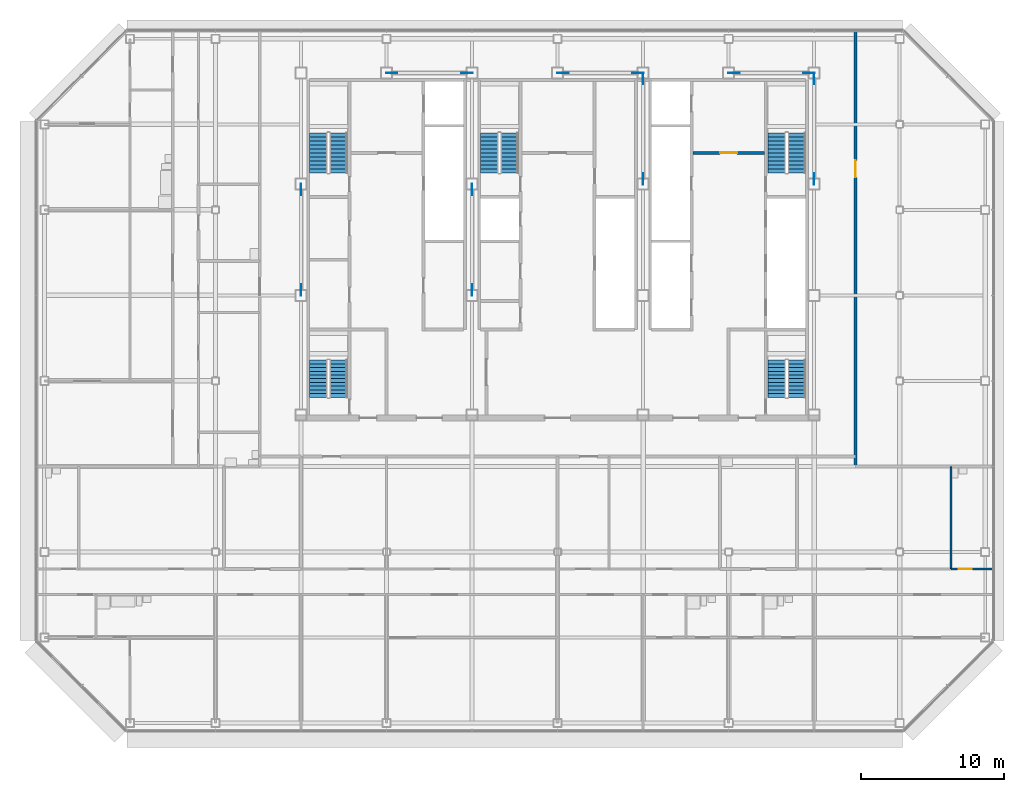
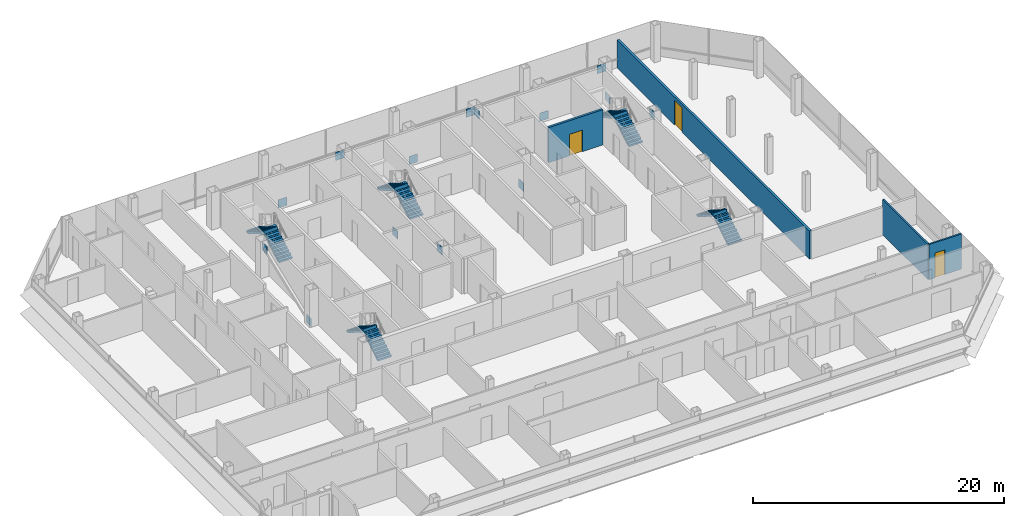
# One storey, part 25 of 27: 14 discrete accessories, 10 stair flights, 4 walls, 3 doors, 3 openings, 5 elements without a shape of their own.
"""IFC4 building model written with IfcOpenShell, lengths in metres."""

from ifc_helpers import new_model, si_unit, direction, frame, frame_2d, origin, origin_2d, place, context, subcontext, project, spatial, polyline, rectangle, outline, extrude, material, layer, layer_set, type_object, element, fill, aggregate, save


model = new_model("IFC4")

# Units and contexts
model_context = context("Model", 3, precision=1e-05, world=origin(), true_north=direction((0.0, 1.0)))
body_context = subcontext(model_context, "Body", "Model", "MODEL_VIEW")
ifc_project = project(units=[si_unit("LENGTHUNIT", "METRE"), si_unit("AREAUNIT", "SQUARE_METRE"), si_unit("VOLUMEUNIT", "CUBIC_METRE"), si_unit("PLANEANGLEUNIT", "RADIAN"), si_unit("MASSUNIT", "GRAM", prefix="KILO")], contexts=[model_context])

# Site, building, storey
site_placement = place(None, origin())
site = spatial("IfcSite", under=ifc_project, at=site_placement, CompositionType="ELEMENT")
building_placement = place(site_placement, origin())
building = spatial("IfcBuilding", under=site, at=building_placement, Name="Sorahane Residences", CompositionType="ELEMENT")
storey_placement = place(building_placement, frame((0.0, 0.0, 246.800048828125)))
storey = spatial("IfcBuildingStorey", under=building, at=storey_placement, Name="L58", CompositionType="ELEMENT", Elevation=246.800048828125)

# Wall, opening, door
ifc_material_1 = material(Name="Concrete blockwork C20 wall", Category="masonry")
ifc_layer_1 = layer(ifc_material_1, 0.199951171875)
ifc_layer_set_1 = layer_set([ifc_layer_1], Name="Corridor wall 200 EI 120")
wall_type_1 = type_object("IfcWallType", Name="Corridor wall 200 EI 120", PredefinedType="SOLIDWALL", material=ifc_layer_set_1)
wall_1_placement = place(storey_placement, frame((44.89990234375, 18.0, 0.0), z_axis=(0.0, 0.0, 1.0), x_axis=(0.0, 1.0, 0.0)))
wall_1 = element("IfcWall", 1, at=wall_1_placement, inside=storey, type_object=wall_type_1, Name="L58 corridor wall", PredefinedType="SOLIDWALL", context=body_context, shape_type="SweptSolid", body=[
    extrude(rectangle(XDim=30.60009765625, YDim=0.199951171875, at=frame_2d((15.300048828125, 0.0))), origin(), (0.0, 0.0, 1.0), 2.719970703125),
])
opening_1_placement = place(wall_1_placement, frame((20.27001953125, 0.0, 0.0)))
opening_1 = element("IfcOpeningElement", 2, at=opening_1_placement, cuts=wall_1, Name="Opening L58-43", PredefinedType="OPENING", context=body_context, shape_type="SweptSolid", body=[
    extrude(rectangle(XDim=1.199951171875, YDim=2.39990234375, at=frame_2d((0.60009765625, 1.199951171875))), frame((0.0, 0.10986328125, 0.0), z_axis=(0.0, -1.0, 0.0), x_axis=(1.0, 0.0, 0.0)), (0.0, 0.0, 1.0), 0.219970703125),
])
ifc_material_2 = material(Name="Steel", Category="steel")
door_type_1 = type_object("IfcDoorType", Name="Lobby door 1200x2400 FD60", OperationType="NOTDEFINED", PredefinedType="DOOR", material=ifc_material_2)
door_1_placement = place(opening_1_placement, frame((1.199951171875, 0.0, 0.0), z_axis=(0.0, 0.0, 1.0), x_axis=(-1.0, 0.0, 0.0)))
door_1 = element("IfcDoor", 3, at=door_1_placement, inside=storey, type_object=door_type_1, Name="Lobby door L58-43", OperationType="SINGLE_SWING_RIGHT", OverallHeight=2.39990234375, OverallWidth=1.199951171875, PredefinedType="DOOR", context=body_context, shape_type="SweptSolid", body=[
    extrude(rectangle(XDim=1.199951171875, YDim=2.39990234375, at=frame_2d((0.60009765625, 1.199951171875))), frame((0.0, 0.02490234375, 0.0), z_axis=(0.0, -1.0, 0.0), x_axis=(1.0, 0.0, 0.0)), (0.0, 0.0, 1.0), 0.050048828125),
])
fill(opening_1, door_1)

ifc_material_3 = material(Name="Concrete C30", Category="concrete")
ifc_layer_2 = layer(ifc_material_3, 0.199951171875)
ifc_layer_set_2 = layer_set([ifc_layer_2], Name="Front room wall 200 EI 120")
wall_type_2 = type_object("IfcWallType", Name="Front room wall 200 EI 120", PredefinedType="PARTITIONING", material=ifc_layer_set_2)
wall_2_placement = place(storey_placement, frame((33.5, 40.0, 0.0), z_axis=(0.0, 0.0, 1.0), x_axis=(1.0, 0.0, 0.0)))
wall_2 = element("IfcWall", 4, at=wall_2_placement, inside=storey, type_object=wall_type_2, Name="L58 front room wall", PredefinedType="PARTITIONING", context=body_context, shape_type="SweptSolid", body=[
    extrude(rectangle(XDim=5.0, YDim=0.199951171875, at=frame_2d((2.5, 0.0))), origin(), (0.0, 0.0, 1.0), 3.419921875),
])
opening_2_placement = place(wall_2_placement, frame((1.89990234375, 0.0, 0.0)))
opening_2 = element("IfcOpeningElement", 5, at=opening_2_placement, cuts=wall_2, Name="Opening L58-C09", PredefinedType="OPENING", context=body_context, shape_type="SweptSolid", body=[
    extrude(rectangle(XDim=1.199951171875, YDim=2.10009765625, at=frame_2d((0.60009765625, 1.050048828125))), frame((0.0, 0.10986328125, 0.0), z_axis=(0.0, -1.0, 0.0), x_axis=(1.0, 0.0, 0.0)), (0.0, 0.0, 1.0), 0.219970703125),
])
ifc_material_4 = material(Name="Steel", Category="steel")
door_type_2 = type_object("IfcDoorType", Name="Front room door 1200x2100 FD120", OperationType="NOTDEFINED", PredefinedType="DOOR", material=ifc_material_4)
door_2_placement = place(opening_2_placement, frame((1.199951171875, 0.0, 0.0), z_axis=(0.0, 0.0, 1.0), x_axis=(-1.0, 0.0, 0.0)))
door_2 = element("IfcDoor", 6, at=door_2_placement, inside=storey, type_object=door_type_2, Name="Front room door Firefighting lobby FF2 front room L58", OperationType="DOUBLE_DOOR_SINGLE_SWING", OverallHeight=2.10009765625, OverallWidth=1.199951171875, PredefinedType="DOOR", context=body_context, shape_type="SweptSolid", body=[
    extrude(rectangle(XDim=1.199951171875, YDim=2.10009765625, at=frame_2d((0.60009765625, 1.050048828125))), frame((0.0, 0.02490234375, 0.0), z_axis=(0.0, -1.0, 0.0), x_axis=(1.0, 0.0, 0.0)), (0.0, 0.0, 1.0), 0.050048828125),
])
fill(opening_2, door_2)

# Wall
ifc_material_5 = material(Name="Gypsum board partition on steel studs", Category="steel")
ifc_layer_3 = layer(ifc_material_5, 0.14990234375)
ifc_layer_set_3 = layer_set([ifc_layer_3], Name="Wet wall 150 EI 90")
wall_type_3 = type_object("IfcWallType", Name="Wet wall 150 EI 90", PredefinedType="PARTITIONING", material=ifc_layer_set_3)
wall_3_placement = place(storey_placement, frame((51.60009765625, 10.800048828125, 0.0), z_axis=(0.0, 0.0, 1.0), x_axis=(0.0, 1.0, 0.0)))
element("IfcWall", 7, at=wall_3_placement, inside=storey, type_object=wall_type_3, Name="L58 wet wall", PredefinedType="PARTITIONING", context=body_context, shape_type="SweptSolid", body=[
    extrude(rectangle(XDim=7.199951171875, YDim=0.14990234375, at=frame_2d((3.60009765625, 0.0))), origin(), (0.0, 0.0, 1.0), 3.419921875),
])

# Wall, opening, door
wall_4_placement = place(storey_placement, frame((51.60009765625, 10.800048828125, 0.0), z_axis=(0.0, 0.0, 1.0), x_axis=(1.0, 0.0, 0.0)))
wall_4 = element("IfcWall", 8, at=wall_4_placement, inside=storey, type_object=wall_type_3, Name="L58 wet wall", PredefinedType="PARTITIONING", context=body_context, shape_type="SweptSolid", body=[
    extrude(rectangle(XDim=3.0, YDim=0.14990234375, at=frame_2d((1.5, 0.0))), origin(), (0.0, 0.0, 1.0), 3.419921875),
])
opening_3_placement = place(wall_4_placement, frame((0.550048828125, 0.0, 0.0)))
opening_3 = element("IfcOpeningElement", 9, at=opening_3_placement, cuts=wall_4, Name="Opening L58-18", PredefinedType="OPENING", context=body_context, shape_type="SweptSolid", body=[
    extrude(rectangle(XDim=0.89990234375, YDim=2.39990234375, at=frame_2d((0.449951171875, 1.199951171875))), frame((0.0, 0.0849609375, 0.0), z_axis=(0.0, -1.0, 0.0), x_axis=(1.0, 0.0, 0.0)), (0.0, 0.0, 1.0), 0.169921875),
])
ifc_material_6 = material(Name="Timber veneered fire door", Category="wood")
door_type_3 = type_object("IfcDoorType", Name="Bathroom door 900x2400 FD30", OperationType="NOTDEFINED", PredefinedType="DOOR", material=ifc_material_6)
door_3_placement = place(opening_3_placement, frame((0.89990234375, 0.0, 0.0), z_axis=(0.0, 0.0, 1.0), x_axis=(-1.0, 0.0, 0.0)))
door_3 = element("IfcDoor", 10, at=door_3_placement, inside=storey, type_object=door_type_3, Name="Bathroom door L58-18", OperationType="SINGLE_SWING_RIGHT", OverallHeight=2.39990234375, OverallWidth=0.89990234375, PredefinedType="DOOR", context=body_context, shape_type="SweptSolid", body=[
    extrude(rectangle(XDim=0.89990234375, YDim=2.39990234375, at=frame_2d((0.449951171875, 1.199951171875))), frame((0.0, 0.02490234375, 0.0), z_axis=(0.0, -1.0, 0.0), x_axis=(1.0, 0.0, 0.0)), (0.0, 0.0, 1.0), 0.050048828125),
])
fill(opening_3, door_3)

# Stair, stair flights
ifc_material_7 = material(Name="Concrete C40", Category="concrete")
stair_type = type_object("IfcStairType", Name="Dog-leg stair 1250 Concrete C40", PredefinedType="HALF_TURN_STAIR", material=ifc_material_7)
stair_1_placement = place(storey_placement, origin())
stair_1 = element("IfcStair", 11, at=stair_1_placement, inside=storey, type_object=stair_type, Name="L58 Stair S1", PredefinedType="HALF_TURN_STAIR")
ifc_material_8 = material(Name="Concrete C40", Category="concrete")
stair_flight_type = type_object("IfcStairFlightType", Name="Stair flight 1250 Concrete C40", PredefinedType="STRAIGHT", material=ifc_material_8)
stair_flight_1_placement = place(storey_placement, frame((8.625, 38.60009765625, 0.0), z_axis=(0.0, 0.0, 1.0), x_axis=(0.0, 1.0, 0.0)))
stair_flight_1 = element("IfcStairFlight", 12, at=stair_flight_1_placement, type_object=stair_flight_type, Name="S1 flight 1", NumberOfRisers=11, NumberOfTreads=10, PredefinedType="STRAIGHT", RiserHeight=0.163636364, TreadLength=0.28, context=body_context, shape_type="SweptSolid", body=[
    extrude(outline(polyline([(-0.00146484375, 0.0), (-0.00146484375, 0.16357421875), (0.0, 0.16357421875), (0.280029296875, 0.16357421875), (0.280029296875, 0.327392578125), (0.56005859375, 0.327392578125), (0.56005859375, 0.490966796875), (0.840087890625, 0.490966796875), (0.840087890625, 0.654541015625), (1.1201171875, 0.654541015625), (1.1201171875, 0.818115234375), (1.39990234375, 0.818115234375), (1.39990234375, 0.98193359375), (1.679931640625, 0.98193359375), (1.679931640625, 1.1455078125), (1.9599609375, 1.1455078125), (1.9599609375, 1.30908203125), (2.239990234375, 1.30908203125), (2.239990234375, 1.47265625), (2.52001953125, 1.47265625), (2.52001953125, 1.636474609375), (2.800048828125, 1.636474609375), (2.800048828125, 1.800048828125), (2.800048828125, 1.462646484375), (2.59130859375, 1.3408203125), (2.3828125, 1.218994140625), (2.17431640625, 1.09716796875), (1.965576171875, 0.97509765625), (1.757080078125, 0.853271484375), (1.548583984375, 0.7314453125), (1.340087890625, 0.609375), (1.13134765625, 0.487548828125), (0.9228515625, 0.36572265625), (0.71435546875, 0.243896484375), (0.505615234375, 0.121826171875), (0.297119140625, 0.0), (-0.00146484375, 0.0)])), frame((0.0, 0.625, 0.0), z_axis=(0.0, -1.0, 0.0), x_axis=(1.0, 0.0, 0.0)), (0.0, 0.0, 1.0), 1.25),
])
stair_flight_2_placement = place(storey_placement, frame((7.22509765625, 41.39990234375, 1.800048828125), z_axis=(0.0, 0.0, 1.0), x_axis=(0.0, -1.0, 0.0)))
stair_flight_2 = element("IfcStairFlight", 13, at=stair_flight_2_placement, type_object=stair_flight_type, Name="S1 flight 2", NumberOfRisers=11, NumberOfTreads=10, PredefinedType="STRAIGHT", RiserHeight=0.163636364, TreadLength=0.28, context=body_context, shape_type="SweptSolid", body=[
    extrude(outline(polyline([(0.0, 0.0), (0.0, 0.16357421875), (0.280029296875, 0.16357421875), (0.280029296875, 0.327392578125), (0.56005859375, 0.327392578125), (0.56005859375, 0.490966796875), (0.840087890625, 0.490966796875), (0.840087890625, 0.654541015625), (1.1201171875, 0.654541015625), (1.1201171875, 0.818115234375), (1.39990234375, 0.818115234375), (1.39990234375, 0.98193359375), (1.679931640625, 0.98193359375), (1.679931640625, 1.1455078125), (1.9599609375, 1.1455078125), (1.9599609375, 1.30908203125), (2.239990234375, 1.30908203125), (2.239990234375, 1.47265625), (2.52001953125, 1.47265625), (2.52001953125, 1.636474609375), (2.800048828125, 1.636474609375), (2.800048828125, 1.800048828125), (2.801513671875, 1.800048828125), (2.801513671875, 1.462646484375), (2.5927734375, 1.3408203125), (2.384033203125, 1.218994140625), (2.17529296875, 1.09716796875), (1.966796875, 0.97509765625), (1.758056640625, 0.853271484375), (1.54931640625, 0.7314453125), (1.340576171875, 0.609375), (1.1318359375, 0.487548828125), (0.923095703125, 0.36572265625), (0.714599609375, 0.243896484375), (0.505859375, 0.121826171875), (0.297119140625, 0.0), (0.0, 0.0)])), frame((0.0, 0.625, 0.0), z_axis=(0.0, -1.0, 0.0), x_axis=(1.0, 0.0, 0.0)), (0.0, 0.0, 1.0), 1.25),
])
aggregate(stair_1, [stair_flight_1, stair_flight_2])

stair_2_placement = place(storey_placement, origin())
stair_2 = element("IfcStair", 14, at=stair_2_placement, inside=storey, type_object=stair_type, Name="L58 Stair S2", PredefinedType="HALF_TURN_STAIR")
stair_flight_3_placement = place(storey_placement, frame((40.77490234375, 38.60009765625, 0.0), z_axis=(0.0, 0.0, 1.0), x_axis=(0.0, 1.0, 0.0)))
stair_flight_3 = element("IfcStairFlight", 15, at=stair_flight_3_placement, type_object=stair_flight_type, Name="S2 flight 1", NumberOfRisers=11, NumberOfTreads=10, PredefinedType="STRAIGHT", RiserHeight=0.163636364, TreadLength=0.28, context=body_context, shape_type="SweptSolid", body=[
    extrude(outline(polyline([(-0.00146484375, 0.0), (-0.00146484375, 0.16357421875), (0.0, 0.16357421875), (0.280029296875, 0.16357421875), (0.280029296875, 0.327392578125), (0.56005859375, 0.327392578125), (0.56005859375, 0.490966796875), (0.840087890625, 0.490966796875), (0.840087890625, 0.654541015625), (1.1201171875, 0.654541015625), (1.1201171875, 0.818115234375), (1.39990234375, 0.818115234375), (1.39990234375, 0.98193359375), (1.679931640625, 0.98193359375), (1.679931640625, 1.1455078125), (1.9599609375, 1.1455078125), (1.9599609375, 1.30908203125), (2.239990234375, 1.30908203125), (2.239990234375, 1.47265625), (2.52001953125, 1.47265625), (2.52001953125, 1.636474609375), (2.800048828125, 1.636474609375), (2.800048828125, 1.800048828125), (2.800048828125, 1.462646484375), (2.59130859375, 1.3408203125), (2.3828125, 1.218994140625), (2.17431640625, 1.09716796875), (1.965576171875, 0.97509765625), (1.757080078125, 0.853271484375), (1.548583984375, 0.7314453125), (1.340087890625, 0.609375), (1.13134765625, 0.487548828125), (0.9228515625, 0.36572265625), (0.71435546875, 0.243896484375), (0.505615234375, 0.121826171875), (0.297119140625, 0.0), (-0.00146484375, 0.0)])), frame((0.0, 0.625, 0.0), z_axis=(0.0, -1.0, 0.0), x_axis=(1.0, 0.0, 0.0)), (0.0, 0.0, 1.0), 1.25),
])
stair_flight_4_placement = place(storey_placement, frame((39.375, 41.39990234375, 1.800048828125), z_axis=(0.0, 0.0, 1.0), x_axis=(0.0, -1.0, 0.0)))
stair_flight_4 = element("IfcStairFlight", 16, at=stair_flight_4_placement, type_object=stair_flight_type, Name="S2 flight 2", NumberOfRisers=11, NumberOfTreads=10, PredefinedType="STRAIGHT", RiserHeight=0.163636364, TreadLength=0.28, context=body_context, shape_type="SweptSolid", body=[
    extrude(outline(polyline([(0.0, 0.0), (0.0, 0.16357421875), (0.280029296875, 0.16357421875), (0.280029296875, 0.327392578125), (0.56005859375, 0.327392578125), (0.56005859375, 0.490966796875), (0.840087890625, 0.490966796875), (0.840087890625, 0.654541015625), (1.1201171875, 0.654541015625), (1.1201171875, 0.818115234375), (1.39990234375, 0.818115234375), (1.39990234375, 0.98193359375), (1.679931640625, 0.98193359375), (1.679931640625, 1.1455078125), (1.9599609375, 1.1455078125), (1.9599609375, 1.30908203125), (2.239990234375, 1.30908203125), (2.239990234375, 1.47265625), (2.52001953125, 1.47265625), (2.52001953125, 1.636474609375), (2.800048828125, 1.636474609375), (2.800048828125, 1.800048828125), (2.801513671875, 1.800048828125), (2.801513671875, 1.462646484375), (2.5927734375, 1.3408203125), (2.384033203125, 1.218994140625), (2.17529296875, 1.09716796875), (1.966796875, 0.97509765625), (1.758056640625, 0.853271484375), (1.54931640625, 0.7314453125), (1.340576171875, 0.609375), (1.1318359375, 0.487548828125), (0.923095703125, 0.36572265625), (0.714599609375, 0.243896484375), (0.505859375, 0.121826171875), (0.297119140625, 0.0), (0.0, 0.0)])), frame((0.0, 0.625, 0.0), z_axis=(0.0, -1.0, 0.0), x_axis=(1.0, 0.0, 0.0)), (0.0, 0.0, 1.0), 1.25),
])
aggregate(stair_2, [stair_flight_3, stair_flight_4])

stair_3_placement = place(storey_placement, origin())
stair_3 = element("IfcStair", 17, at=stair_3_placement, inside=storey, type_object=stair_type, Name="L58 Stair S3", PredefinedType="HALF_TURN_STAIR")
stair_flight_5_placement = place(storey_placement, frame((20.625, 38.60009765625, 0.0), z_axis=(0.0, 0.0, 1.0), x_axis=(0.0, 1.0, 0.0)))
stair_flight_5 = element("IfcStairFlight", 18, at=stair_flight_5_placement, type_object=stair_flight_type, Name="S3 flight 1", NumberOfRisers=11, NumberOfTreads=10, PredefinedType="STRAIGHT", RiserHeight=0.163636364, TreadLength=0.28, context=body_context, shape_type="SweptSolid", body=[
    extrude(outline(polyline([(-0.00146484375, 0.0), (-0.00146484375, 0.16357421875), (0.0, 0.16357421875), (0.280029296875, 0.16357421875), (0.280029296875, 0.327392578125), (0.56005859375, 0.327392578125), (0.56005859375, 0.490966796875), (0.840087890625, 0.490966796875), (0.840087890625, 0.654541015625), (1.1201171875, 0.654541015625), (1.1201171875, 0.818115234375), (1.39990234375, 0.818115234375), (1.39990234375, 0.98193359375), (1.679931640625, 0.98193359375), (1.679931640625, 1.1455078125), (1.9599609375, 1.1455078125), (1.9599609375, 1.30908203125), (2.239990234375, 1.30908203125), (2.239990234375, 1.47265625), (2.52001953125, 1.47265625), (2.52001953125, 1.636474609375), (2.800048828125, 1.636474609375), (2.800048828125, 1.800048828125), (2.800048828125, 1.462646484375), (2.59130859375, 1.3408203125), (2.3828125, 1.218994140625), (2.17431640625, 1.09716796875), (1.965576171875, 0.97509765625), (1.757080078125, 0.853271484375), (1.548583984375, 0.7314453125), (1.340087890625, 0.609375), (1.13134765625, 0.487548828125), (0.9228515625, 0.36572265625), (0.71435546875, 0.243896484375), (0.505615234375, 0.121826171875), (0.297119140625, 0.0), (-0.00146484375, 0.0)])), frame((0.0, 0.625, 0.0), z_axis=(0.0, -1.0, 0.0), x_axis=(1.0, 0.0, 0.0)), (0.0, 0.0, 1.0), 1.25),
])
stair_flight_6_placement = place(storey_placement, frame((19.22509765625, 41.39990234375, 1.800048828125), z_axis=(0.0, 0.0, 1.0), x_axis=(0.0, -1.0, 0.0)))
stair_flight_6 = element("IfcStairFlight", 19, at=stair_flight_6_placement, type_object=stair_flight_type, Name="S3 flight 2", NumberOfRisers=11, NumberOfTreads=10, PredefinedType="STRAIGHT", RiserHeight=0.163636364, TreadLength=0.28, context=body_context, shape_type="SweptSolid", body=[
    extrude(outline(polyline([(0.0, 0.0), (0.0, 0.16357421875), (0.280029296875, 0.16357421875), (0.280029296875, 0.327392578125), (0.56005859375, 0.327392578125), (0.56005859375, 0.490966796875), (0.840087890625, 0.490966796875), (0.840087890625, 0.654541015625), (1.1201171875, 0.654541015625), (1.1201171875, 0.818115234375), (1.39990234375, 0.818115234375), (1.39990234375, 0.98193359375), (1.679931640625, 0.98193359375), (1.679931640625, 1.1455078125), (1.9599609375, 1.1455078125), (1.9599609375, 1.30908203125), (2.239990234375, 1.30908203125), (2.239990234375, 1.47265625), (2.52001953125, 1.47265625), (2.52001953125, 1.636474609375), (2.800048828125, 1.636474609375), (2.800048828125, 1.800048828125), (2.801513671875, 1.800048828125), (2.801513671875, 1.462646484375), (2.5927734375, 1.3408203125), (2.384033203125, 1.218994140625), (2.17529296875, 1.09716796875), (1.966796875, 0.97509765625), (1.758056640625, 0.853271484375), (1.54931640625, 0.7314453125), (1.340576171875, 0.609375), (1.1318359375, 0.487548828125), (0.923095703125, 0.36572265625), (0.714599609375, 0.243896484375), (0.505859375, 0.121826171875), (0.297119140625, 0.0), (0.0, 0.0)])), frame((0.0, 0.625, 0.0), z_axis=(0.0, -1.0, 0.0), x_axis=(1.0, 0.0, 0.0)), (0.0, 0.0, 1.0), 1.25),
])
aggregate(stair_3, [stair_flight_5, stair_flight_6])

stair_4_placement = place(storey_placement, origin())
stair_4 = element("IfcStair", 20, at=stair_4_placement, inside=storey, type_object=stair_type, Name="L58 Stair S4", PredefinedType="HALF_TURN_STAIR")
stair_flight_7_placement = place(storey_placement, frame((8.625, 22.85009765625, 0.0), z_axis=(0.0, 0.0, 1.0), x_axis=(0.0, 1.0, 0.0)))
stair_flight_7 = element("IfcStairFlight", 21, at=stair_flight_7_placement, type_object=stair_flight_type, Name="S4 flight 1", NumberOfRisers=11, NumberOfTreads=10, PredefinedType="STRAIGHT", RiserHeight=0.163636364, TreadLength=0.26, context=body_context, shape_type="SweptSolid", body=[
    extrude(outline(polyline([(-0.00146484375, 0.0), (-0.00146484375, 0.16357421875), (0.0, 0.16357421875), (0.260009765625, 0.16357421875), (0.260009765625, 0.327392578125), (0.52001953125, 0.327392578125), (0.52001953125, 0.490966796875), (0.780029296875, 0.490966796875), (0.780029296875, 0.654541015625), (1.0400390625, 0.654541015625), (1.0400390625, 0.818115234375), (1.300048828125, 0.818115234375), (1.300048828125, 0.98193359375), (1.56005859375, 0.98193359375), (1.56005859375, 1.1455078125), (1.820068359375, 1.1455078125), (1.820068359375, 1.30908203125), (2.080078125, 1.30908203125), (2.080078125, 1.47265625), (2.340087890625, 1.47265625), (2.340087890625, 1.636474609375), (2.60009765625, 1.636474609375), (2.60009765625, 1.800048828125), (2.60009765625, 1.494384765625), (2.402099609375, 1.369873046875), (2.204345703125, 1.245361328125), (2.00634765625, 1.120849609375), (1.80859375, 0.996337890625), (1.610595703125, 0.871826171875), (1.412841796875, 0.747314453125), (1.21484375, 0.622802734375), (1.01708984375, 0.498046875), (0.819091796875, 0.37353515625), (0.621337890625, 0.2490234375), (0.42333984375, 0.12451171875), (0.2255859375, 0.0), (-0.00146484375, 0.0)])), frame((0.0, 0.625, 0.0), z_axis=(0.0, -1.0, 0.0), x_axis=(1.0, 0.0, 0.0)), (0.0, 0.0, 1.0), 1.25),
])
stair_flight_8_placement = place(storey_placement, frame((7.22509765625, 25.449951171875, 1.800048828125), z_axis=(0.0, 0.0, 1.0), x_axis=(0.0, -1.0, 0.0)))
stair_flight_8 = element("IfcStairFlight", 22, at=stair_flight_8_placement, type_object=stair_flight_type, Name="S4 flight 2", NumberOfRisers=11, NumberOfTreads=10, PredefinedType="STRAIGHT", RiserHeight=0.163636364, TreadLength=0.26, context=body_context, shape_type="SweptSolid", body=[
    extrude(outline(polyline([(0.0, 0.0), (0.0, 0.16357421875), (0.260009765625, 0.16357421875), (0.260009765625, 0.327392578125), (0.52001953125, 0.327392578125), (0.52001953125, 0.490966796875), (0.780029296875, 0.490966796875), (0.780029296875, 0.654541015625), (1.0400390625, 0.654541015625), (1.0400390625, 0.818115234375), (1.300048828125, 0.818115234375), (1.300048828125, 0.98193359375), (1.56005859375, 0.98193359375), (1.56005859375, 1.1455078125), (1.820068359375, 1.1455078125), (1.820068359375, 1.30908203125), (2.080078125, 1.30908203125), (2.080078125, 1.47265625), (2.340087890625, 1.47265625), (2.340087890625, 1.636474609375), (2.60009765625, 1.636474609375), (2.60009765625, 1.800048828125), (2.6015625, 1.800048828125), (2.6015625, 1.494384765625), (2.403564453125, 1.369873046875), (2.20556640625, 1.245361328125), (2.007568359375, 1.120849609375), (1.8095703125, 0.996337890625), (1.611572265625, 0.871826171875), (1.41357421875, 0.747314453125), (1.215576171875, 0.622802734375), (1.017578125, 0.498046875), (0.819580078125, 0.37353515625), (0.62158203125, 0.2490234375), (0.423583984375, 0.12451171875), (0.2255859375, 0.0), (0.0, 0.0)])), frame((0.0, 0.625, 0.0), z_axis=(0.0, -1.0, 0.0), x_axis=(1.0, 0.0, 0.0)), (0.0, 0.0, 1.0), 1.25),
])
aggregate(stair_4, [stair_flight_7, stair_flight_8])

stair_5_placement = place(storey_placement, origin())
stair_5 = element("IfcStair", 23, at=stair_5_placement, inside=storey, type_object=stair_type, Name="L58 Stair S5", PredefinedType="HALF_TURN_STAIR")
stair_flight_9_placement = place(storey_placement, frame((40.77490234375, 22.85009765625, 0.0), z_axis=(0.0, 0.0, 1.0), x_axis=(0.0, 1.0, 0.0)))
stair_flight_9 = element("IfcStairFlight", 24, at=stair_flight_9_placement, type_object=stair_flight_type, Name="S5 flight 1", NumberOfRisers=11, NumberOfTreads=10, PredefinedType="STRAIGHT", RiserHeight=0.163636364, TreadLength=0.26, context=body_context, shape_type="SweptSolid", body=[
    extrude(outline(polyline([(-0.00146484375, 0.0), (-0.00146484375, 0.16357421875), (0.0, 0.16357421875), (0.260009765625, 0.16357421875), (0.260009765625, 0.327392578125), (0.52001953125, 0.327392578125), (0.52001953125, 0.490966796875), (0.780029296875, 0.490966796875), (0.780029296875, 0.654541015625), (1.0400390625, 0.654541015625), (1.0400390625, 0.818115234375), (1.300048828125, 0.818115234375), (1.300048828125, 0.98193359375), (1.56005859375, 0.98193359375), (1.56005859375, 1.1455078125), (1.820068359375, 1.1455078125), (1.820068359375, 1.30908203125), (2.080078125, 1.30908203125), (2.080078125, 1.47265625), (2.340087890625, 1.47265625), (2.340087890625, 1.636474609375), (2.60009765625, 1.636474609375), (2.60009765625, 1.800048828125), (2.60009765625, 1.494384765625), (2.402099609375, 1.369873046875), (2.204345703125, 1.245361328125), (2.00634765625, 1.120849609375), (1.80859375, 0.996337890625), (1.610595703125, 0.871826171875), (1.412841796875, 0.747314453125), (1.21484375, 0.622802734375), (1.01708984375, 0.498046875), (0.819091796875, 0.37353515625), (0.621337890625, 0.2490234375), (0.42333984375, 0.12451171875), (0.2255859375, 0.0), (-0.00146484375, 0.0)])), frame((0.0, 0.625, 0.0), z_axis=(0.0, -1.0, 0.0), x_axis=(1.0, 0.0, 0.0)), (0.0, 0.0, 1.0), 1.25),
])
stair_flight_10_placement = place(storey_placement, frame((39.375, 25.449951171875, 1.800048828125), z_axis=(0.0, 0.0, 1.0), x_axis=(0.0, -1.0, 0.0)))
stair_flight_10 = element("IfcStairFlight", 25, at=stair_flight_10_placement, type_object=stair_flight_type, Name="S5 flight 2", NumberOfRisers=11, NumberOfTreads=10, PredefinedType="STRAIGHT", RiserHeight=0.163636364, TreadLength=0.26, context=body_context, shape_type="SweptSolid", body=[
    extrude(outline(polyline([(0.0, 0.0), (0.0, 0.16357421875), (0.260009765625, 0.16357421875), (0.260009765625, 0.327392578125), (0.52001953125, 0.327392578125), (0.52001953125, 0.490966796875), (0.780029296875, 0.490966796875), (0.780029296875, 0.654541015625), (1.0400390625, 0.654541015625), (1.0400390625, 0.818115234375), (1.300048828125, 0.818115234375), (1.300048828125, 0.98193359375), (1.56005859375, 0.98193359375), (1.56005859375, 1.1455078125), (1.820068359375, 1.1455078125), (1.820068359375, 1.30908203125), (2.080078125, 1.30908203125), (2.080078125, 1.47265625), (2.340087890625, 1.47265625), (2.340087890625, 1.636474609375), (2.60009765625, 1.636474609375), (2.60009765625, 1.800048828125), (2.6015625, 1.800048828125), (2.6015625, 1.494384765625), (2.403564453125, 1.369873046875), (2.20556640625, 1.245361328125), (2.007568359375, 1.120849609375), (1.8095703125, 0.996337890625), (1.611572265625, 0.871826171875), (1.41357421875, 0.747314453125), (1.215576171875, 0.622802734375), (1.017578125, 0.498046875), (0.819580078125, 0.37353515625), (0.62158203125, 0.2490234375), (0.423583984375, 0.12451171875), (0.2255859375, 0.0), (0.0, 0.0)])), frame((0.0, 0.625, 0.0), z_axis=(0.0, -1.0, 0.0), x_axis=(1.0, 0.0, 0.0)), (0.0, 0.0, 1.0), 1.25),
])
aggregate(stair_5, [stair_flight_9, stair_flight_10])

# Discrete accessories
ifc_material_9 = material(Name="Steel Q355B", Category="steel")
ifc_layer_4 = layer(ifc_material_9, 0.02490234375)
ifc_layer_set_4 = layer_set([ifc_layer_4], Name="Node plate Steel Q355B 25")
discrete_accessory_type = type_object("IfcDiscreteAccessoryType", Name="Node plate Steel Q355B 25", PredefinedType="BRACKET", material=ifc_layer_set_4)
for number, where, z_axis, x_axis, name in (
    (26, (6.0, 30.372802734375, -0.28564453125), (0.0, 0.0, 1.0), (0.0, 1.0, 0.0), "Node plate L58 br"),
    (27, (6.0, 37.42724609375, 2.45556640625), (0.0, 0.0, 1.0), (0.0, 1.0, 0.0), "Node plate L58 br"),
    (28, (18.0, 37.42724609375, -0.28564453125), (0.0, 0.0, 1.0), (0.0, 1.0, 0.0), "Node plate L58 br"),
    (29, (18.0, 30.372802734375, 2.45556640625), (0.0, 0.0, 1.0), (0.0, 1.0, 0.0), "Node plate L58 br"),
    (30, (30.0, 38.1728515625, -0.28564453125), (0.0, 0.0, 1.0), (0.0, 1.0, 0.0), "Node plate L58 br"),
    (31, (30.0, 45.227294921875, 2.45556640625), (0.0, 0.0, 1.0), (0.0, 1.0, 0.0), "Node plate L58 br"),
    (32, (42.0, 45.227294921875, -0.28564453125), (0.0, 0.0, 1.0), (0.0, 1.0, 0.0), "Node plate L58 br"),
    (33, (42.0, 38.1728515625, 2.45556640625), (0.0, 0.0, 1.0), (0.0, 1.0, 0.0), "Node plate L58 br"),
    (34, (12.365234375, 45.60009765625, -0.29345703125), (0.0, 0.0, 1.0), (1.0, 0.0, 0.0), "Node plate L58 br"),
    (35, (24.365234375, 45.60009765625, -0.29345703125), (0.0, 0.0, 1.0), (1.0, 0.0, 0.0), "Node plate L58 br"),
    (36, (36.365234375, 45.60009765625, -0.29345703125), (0.0, 0.0, 1.0), (1.0, 0.0, 0.0), "Node plate L58 br"),
    (37, (17.634765625, 45.60009765625, 2.462890625), (0.0, 0.0, 1.0), (1.0, 0.0, 0.0), "Node plate L58 br"),
    (38, (29.634765625, 45.60009765625, 2.462890625), (0.0, 0.0, 1.0), (1.0, 0.0, 0.0), "Node plate L58 br"),
    (39, (41.634765625, 45.60009765625, 2.462890625), (0.0, 0.0, 1.0), (1.0, 0.0, 0.0), "Node plate L58 br"),
):
    element("IfcDiscreteAccessory", number, at=place(storey_placement, frame(where, z_axis=z_axis, x_axis=x_axis)), inside=storey, type_object=discrete_accessory_type, Name=name, PredefinedType="BRACKET", context=body_context, shape_type="SweptSolid", body=[
        extrude(rectangle(XDim=0.800048828125, YDim=0.02490234375, at=origin_2d()), origin(), (0.0, 0.0, 1.0), 0.800048828125),
    ])

save(model, "model.ifc")
